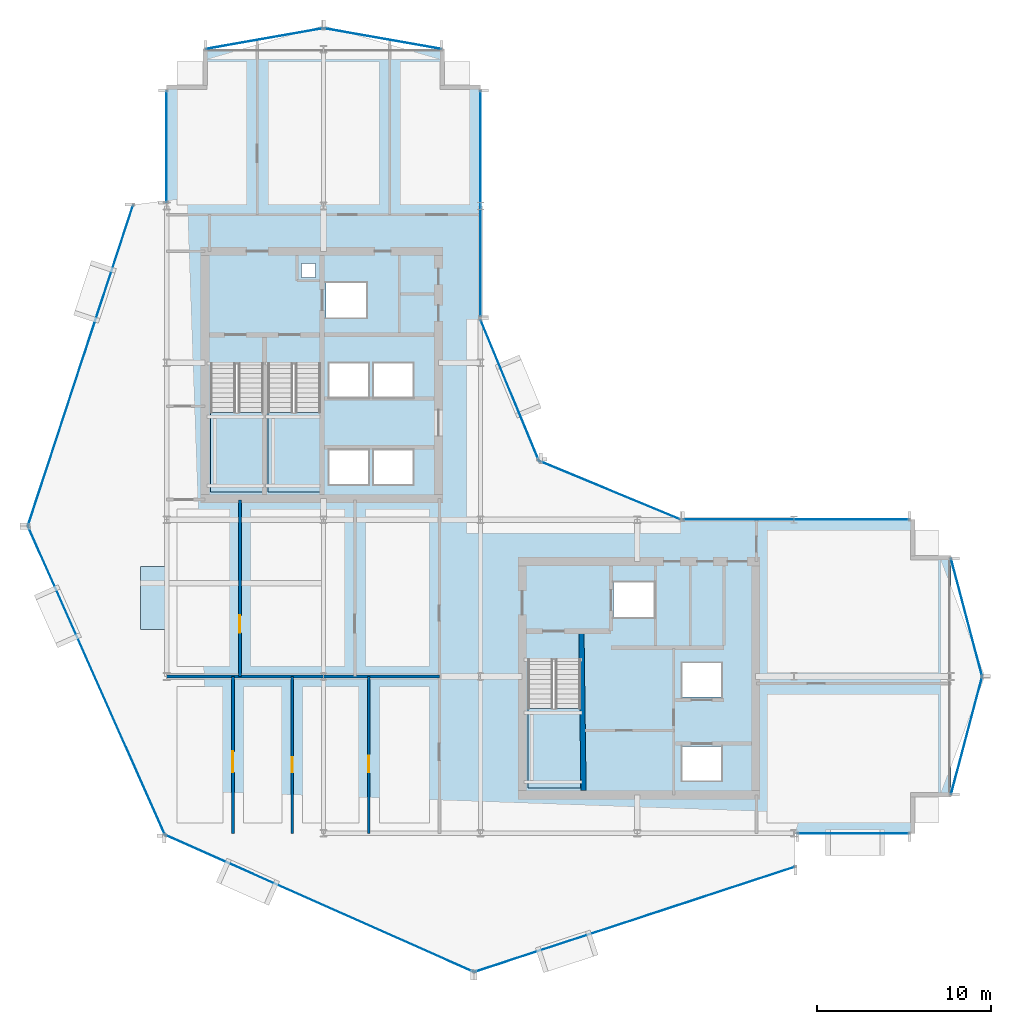
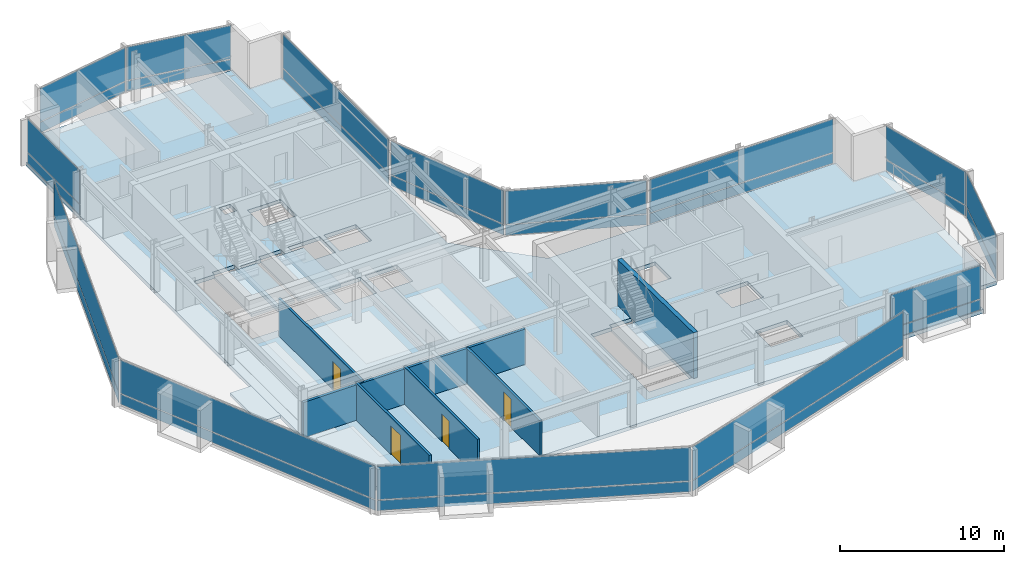
# One storey, part 21 of 28: 28 plates, 6 walls, 5 slabs, 4 doors, 4 openings, 17 elements without a shape of their own.
"""IFC4 building model written with IfcOpenShell, lengths in metres."""

import ifcopenshell
import ifcopenshell.guid

model = None  # the IFC model being written
_history = None  # IfcOwnerHistory: only IFC2X3 demands one
_inside = {}  # id of a spatial element -> (the spatial element, [elements in it])
_under = {}  # id of a project, library or spatial element -> (it, [spatial elements below it])
_declared = {}  # id of a project -> (the project, [libraries it declares])
_typed = {}  # id of a type object -> (the type object, [elements of that type])
_made_of = {}  # id of a material, layer set ... -> (it, [elements and type objects made of it])


def new_model(schema):
    """Start an empty IFC model of exactly this schema.

    Asked for "IFC4X3", IfcOpenShell would pick the latest addendum, in which some entities
    have other attributes; the version numbers below select the first issue.
    IFC2X3 requires an IfcOwnerHistory on every rooted entity: one is made here for all.
    """
    global model, _history
    if schema == "IFC4X3":
        model = ifcopenshell.file(schema_version=(4, 3, 0, 0))
    else:
        model = ifcopenshell.file(schema=schema)
    _inside.clear()
    _under.clear()
    _declared.clear()
    _typed.clear()
    _made_of.clear()
    _history = None
    if model.schema == "IFC2X3":
        org = make("IfcOrganization", Name="unknown")
        user = make(
            "IfcPersonAndOrganization",
            ThePerson=make("IfcPerson", FamilyName="unknown"),
            TheOrganization=org,
        )
        app = make(
            "IfcApplication",
            ApplicationDeveloper=org,
            Version="unknown",
            ApplicationFullName="unknown",
            ApplicationIdentifier="unknown",
        )
        _history = make(
            "IfcOwnerHistory",
            OwningUser=user,
            OwningApplication=app,
            ChangeAction="ADDED",
            CreationDate=0,
        )
    return model


def make(cls, **values):
    """One entity of the class cls with the attributes given. An attribute that is None is left unset."""
    return model.create_entity(
        cls, **{name: value for name, value in values.items() if value is not None}
    )


def rooted(cls, **values):
    """An entity with a GlobalId (a new one), such as an element, a storey or a relation."""
    return make(cls, GlobalId=ifcopenshell.guid.new(), OwnerHistory=_history, **values)


def si_unit(unit_type, name, prefix=None):
    """IfcSIUnit, for example si_unit("LENGTHUNIT", "METRE", prefix="MILLI")."""
    return make("IfcSIUnit", UnitType=unit_type, Prefix=prefix, Name=name)


def assignment(units):
    """IfcUnitAssignment: the units of a project."""
    return None if units is None else make("IfcUnitAssignment", Units=units)


def point(xyz):
    """IfcCartesianPoint."""
    return None if xyz is None else make("IfcCartesianPoint", Coordinates=xyz)


def direction(xyz):
    """IfcDirection."""
    return None if xyz is None else make("IfcDirection", DirectionRatios=xyz)


def frame(location, z_axis=None, x_axis=None):
    """IfcAxis2Placement3D, a coordinate frame: its origin and axes. An axis left out is left unset."""
    return make(
        "IfcAxis2Placement3D",
        Location=point(location),
        Axis=direction(z_axis),
        RefDirection=direction(x_axis),
    )


def frame_2d(location, x_axis=None):
    """IfcAxis2Placement2D, a coordinate frame in the plane: its origin and x axis."""
    return make(
        "IfcAxis2Placement2D", Location=point(location), RefDirection=direction(x_axis)
    )


def origin():
    """The frame at (0, 0, 0) with its axes left unset."""
    return frame((0.0, 0.0, 0.0))


def origin_2d():
    """The frame at (0, 0) in the plane with its x axis left unset."""
    return frame_2d((0.0, 0.0))


def place(relative_to, where):
    """IfcLocalPlacement: puts the frame where relative to a parent placement (None: the world)."""
    return make(
        "IfcLocalPlacement", PlacementRelTo=relative_to, RelativePlacement=where
    )


def context(
    kind, dimensions, precision=None, world=None, true_north=None, identifier=None
):
    """IfcGeometricRepresentationContext, for example the 3D "Model" context."""
    return make(
        "IfcGeometricRepresentationContext",
        ContextIdentifier=identifier,
        ContextType=kind,
        CoordinateSpaceDimension=dimensions,
        Precision=precision,
        WorldCoordinateSystem=world,
        TrueNorth=true_north,
    )


def subcontext(parent, identifier, kind, view, scale=None):
    """IfcGeometricRepresentationSubContext, for example "Body" below "Model"."""
    return make(
        "IfcGeometricRepresentationSubContext",
        ContextIdentifier=identifier,
        ContextType=kind,
        ParentContext=parent,
        TargetScale=scale,
        TargetView=view,
    )


def project(units=None, contexts=None):
    """IfcProject with its units and contexts."""
    return rooted(
        "IfcProject",
        Name="project",
        RepresentationContexts=contexts,
        UnitsInContext=assignment(units),
    )


def spatial(cls, under=None, at=None, **own):
    """A site, building, storey or space (cls), placed at a placement, below another one or the project."""
    s = rooted(cls, ObjectPlacement=at, **own)
    if under is not None:
        _under.setdefault(under.id(), (under, []))[1].append(s)
    return s


def polyline(points):
    """IfcPolyline through the points."""
    return make("IfcPolyline", Points=[point(p) for p in points])


def profile(cls, at=None, kind="AREA", **sizes):
    """A parametric profile (cls). Its sizes go by their IFC names, for example OverallWidth=200.0."""
    return make(cls, ProfileType=kind, Position=at, **sizes)


def rectangle(**sizes):
    """IfcRectangleProfileDef."""
    return profile("IfcRectangleProfileDef", **sizes)


def outline(outer, holes=None, kind="AREA"):
    """IfcArbitraryClosedProfileDef: a profile drawn as a closed curve; with holes, ...WithVoids."""
    if holes is None:
        return make("IfcArbitraryClosedProfileDef", ProfileType=kind, OuterCurve=outer)
    return make(
        "IfcArbitraryProfileDefWithVoids",
        ProfileType=kind,
        OuterCurve=outer,
        InnerCurves=holes,
    )


def extrude(swept, where, along, depth):
    """IfcExtrudedAreaSolid: the profile swept, set in the frame where, extruded along a direction by depth."""
    return make(
        "IfcExtrudedAreaSolid",
        SweptArea=swept,
        Position=where,
        ExtrudedDirection=direction(along),
        Depth=depth,
    )


def shape(context_of_items, identifier, shape_type, items):
    """IfcShapeRepresentation: the items that make up one representation, for example the "Body"."""
    return make(
        "IfcShapeRepresentation",
        ContextOfItems=context_of_items,
        RepresentationIdentifier=identifier,
        RepresentationType=shape_type,
        Items=items,
    )


def material(Name=None, Category=None):
    """IfcMaterial."""
    return make("IfcMaterial", Name=Name, Category=Category)


def layer(
    of_material, thickness, ventilated=None, Name=None, Category=None, Priority=None
):
    """IfcMaterialLayer: one layer of a wall or slab, of a material (None: an air gap)."""
    return make(
        "IfcMaterialLayer",
        Material=of_material,
        LayerThickness=thickness,
        IsVentilated=ventilated,
        Name=Name,
        Category=Category,
        Priority=Priority,
    )


def layer_set(layers, Name=None):
    """IfcMaterialLayerSet."""
    return make("IfcMaterialLayerSet", MaterialLayers=layers, LayerSetName=Name)


def made_of(thing, what):
    """Note that an element or type object is made of a material, layer set ...; save() writes the relation."""
    if what is not None:
        _made_of.setdefault(what.id(), (what, []))[1].append(thing)
    return thing


def type_object(cls, material=None, **own):
    """A type object (cls), such as IfcWallType, which elements share."""
    return made_of(rooted(cls, **own), material)


def element(
    cls,
    number,
    at=None,
    inside=None,
    cuts=None,
    type_object=None,
    material=None,
    context=None,
    identifier="Body",
    shape_type=None,
    held_by="IfcProductDefinitionShape",
    body=None,
    shapes=None,
    **own,
):
    """One element of the class cls, such as IfcWall. Its Tag is "e" and its number.

    at: its placement. inside: the storey or other place that contains it. cuts: it is an
    opening in that element (IfcRelVoidsElement). A single representation is given by context,
    identifier, shape_type and body (its items); several are given by shapes. held_by: the class
    of the entity that holds the representations. save() writes the other relations.
    """
    e = rooted(cls, Tag="e%d" % number, ObjectPlacement=at, **own)
    if body is not None:
        shapes = [shape(context, identifier, shape_type, body)]
    if shapes is not None:
        e.Representation = make(held_by, Representations=shapes)
    if inside is not None:
        _inside.setdefault(inside.id(), (inside, []))[1].append(e)
    if cuts is not None:
        rooted(
            "IfcRelVoidsElement", RelatingBuildingElement=cuts, RelatedOpeningElement=e
        )
    if type_object is not None:
        _typed.setdefault(type_object.id(), (type_object, []))[1].append(e)
    return made_of(e, material)


def fill(opening, filler):
    """IfcRelFillsElement: the door or window that sits in an opening."""
    return rooted(
        "IfcRelFillsElement",
        RelatingOpeningElement=opening,
        RelatedBuildingElement=filler,
    )


def aggregate(whole, parts):
    """IfcRelAggregates: a whole, such as a stair, and the parts it consists of."""
    return rooted("IfcRelAggregates", RelatingObject=whole, RelatedObjects=parts)


def save(model, path):
    """Write the relations noted so far, then the file.

    IfcRelAggregates (storeys below a building ...), IfcRelContainedInSpatialStructure (elements
    in a storey), IfcRelDefinesByType, IfcRelAssociatesMaterial and IfcRelDeclares: one each for
    every whole, place, type object, material and project.
    """
    for whole, parts in _under.values():
        aggregate(whole, parts)
    for where, things in _inside.values():
        rooted(
            "IfcRelContainedInSpatialStructure",
            RelatedElements=things,
            RelatingStructure=where,
        )
    for kind, things in _typed.values():
        rooted("IfcRelDefinesByType", RelatedObjects=things, RelatingType=kind)
    for what, things in _made_of.values():
        rooted("IfcRelAssociatesMaterial", RelatedObjects=things, RelatingMaterial=what)
    for by, libraries in _declared.values():
        rooted("IfcRelDeclares", RelatingContext=by, RelatedDefinitions=libraries)
    model.write(path)


model = new_model("IFC4")

# Units and contexts
model_context = context("Model", 3, precision=1e-05, world=origin(), true_north=direction((0.0, 1.0)))
body_context = subcontext(model_context, "Body", "Model", "MODEL_VIEW")
ifc_project = project(units=[si_unit("LENGTHUNIT", "METRE"), si_unit("AREAUNIT", "SQUARE_METRE"), si_unit("VOLUMEUNIT", "CUBIC_METRE"), si_unit("PLANEANGLEUNIT", "RADIAN"), si_unit("MASSUNIT", "GRAM", prefix="KILO")], contexts=[model_context])

# Site, building, storey
site_placement = place(None, origin())
site = spatial("IfcSite", under=ifc_project, at=site_placement, CompositionType="ELEMENT")
building_placement = place(site_placement, origin())
building = spatial("IfcBuilding", under=site, at=building_placement, Name="Solvaryn Broadcast Tower", CompositionType="ELEMENT")
storey_placement = place(building_placement, frame((0.0, 0.0, 154.39990234375)))
storey = spatial("IfcBuildingStorey", under=building, at=storey_placement, Name="L38", CompositionType="ELEMENT", Elevation=154.39990234375)

# Curtain wall, plates
ifc_material_1 = material(Name="Aluminium and Terracotta Unitised Curtain Wall", Category="masonry")
ifc_layer_1 = layer(ifc_material_1, 0.199951171875)
ifc_layer_set_1 = layer_set([ifc_layer_1], Name="CW-SYS2-LOWMID")
curtain_wall_type = type_object("IfcCurtainWallType", Name="CW-SYS2-LOWMID", PredefinedType="NOTDEFINED", material=ifc_layer_set_1)
curtain_wall_1_placement = place(storey_placement, origin())
curtain_wall_1 = element("IfcCurtainWall", 1, at=curtain_wall_1_placement, inside=storey, type_object=curtain_wall_type, Name="L38 Curtain Wall DR1", PredefinedType="NOTDEFINED")
ifc_material_2 = material(Name="Kiln-Fired Architectural Terracotta Spandrel", Category="masonry")
ifc_layer_2 = layer(ifc_material_2, 0.048095703125)
ifc_layer_set_2 = layer_set([ifc_layer_2], Name="CW-PNL-TERRACOTTA")
plate_type = type_object("IfcPlateType", Name="CW-PNL-TERRACOTTA", PredefinedType="CURTAIN_PANEL", material=ifc_layer_set_2)
plate_1_placement = place(storey_placement, frame((4.056396484375, 35.8515625, 0.06005859375), z_axis=(0.0, 0.0, 1.0), x_axis=(-0.311646057547, -0.950198260794, 0.0)))
plate_1 = element("IfcPlate", 2, at=plate_1_placement, type_object=plate_type, Name="CWS2 panel 1.1", PredefinedType="CURTAIN_PANEL", context=body_context, shape_type="SweptSolid", body=[
    extrude(rectangle(XDim=19.277099609375, YDim=0.028076171875, at=origin_2d()), origin(), (0.0, 0.0, 1.0), 0.760009765625),
])
plate_2_placement = place(storey_placement, frame((4.056396484375, 35.8515625, 0.880126953125), z_axis=(0.0, 0.0, 1.0), x_axis=(-0.311646057547, -0.950198260794, 0.0)))
plate_2 = element("IfcPlate", 3, at=plate_2_placement, type_object=plate_type, Name="CWS2 panel 1.2", PredefinedType="CURTAIN_PANEL", context=body_context, shape_type="SweptSolid", body=[
    extrude(rectangle(XDim=19.277099609375, YDim=0.028076171875, at=origin_2d()), origin(), (0.0, 0.0, 1.0), 2.47998046875),
])
aggregate(curtain_wall_1, [plate_1, plate_2])

curtain_wall_2_placement = place(storey_placement, origin())
curtain_wall_2 = element("IfcCurtainWall", 4, at=curtain_wall_2_placement, inside=storey, type_object=curtain_wall_type, Name="L38 Curtain Wall DR2", PredefinedType="NOTDEFINED")
plate_3_placement = place(storey_placement, frame((4.970947265625, 17.77197265625, 0.06005859375), z_axis=(0.0, 0.0, 1.0), x_axis=(0.405918429309, -0.913909311008, 0.0)))
plate_3 = element("IfcPlate", 5, at=plate_3_placement, type_object=plate_type, Name="CWS2 panel 1.1", PredefinedType="CURTAIN_PANEL", context=body_context, shape_type="SweptSolid", body=[
    extrude(rectangle(XDim=19.278076171875, YDim=0.028076171875, at=origin_2d()), origin(), (0.0, 0.0, 1.0), 0.760009765625),
])
plate_4_placement = place(storey_placement, frame((4.970947265625, 17.77197265625, 0.880126953125), z_axis=(0.0, 0.0, 1.0), x_axis=(0.405918429309, -0.913909311008, 0.0)))
plate_4 = element("IfcPlate", 6, at=plate_4_placement, type_object=plate_type, Name="CWS2 panel 1.2", PredefinedType="CURTAIN_PANEL", context=body_context, shape_type="SweptSolid", body=[
    extrude(rectangle(XDim=19.278076171875, YDim=0.028076171875, at=origin_2d()), origin(), (0.0, 0.0, 1.0), 2.47998046875),
])
aggregate(curtain_wall_2, [plate_3, plate_4])

curtain_wall_3_placement = place(storey_placement, origin())
curtain_wall_3 = element("IfcCurtainWall", 7, at=curtain_wall_3_placement, inside=storey, type_object=curtain_wall_type, Name="L38 Curtain Wall DR3", PredefinedType="NOTDEFINED")
plate_5_placement = place(storey_placement, frame((17.77197265625, 4.970947265625, 0.06005859375), z_axis=(0.0, 0.0, 1.0), x_axis=(0.913909311008, -0.405918429309, 0.0)))
plate_5 = element("IfcPlate", 8, at=plate_5_placement, type_object=plate_type, Name="CWS2 panel 1.1", PredefinedType="CURTAIN_PANEL", context=body_context, shape_type="SweptSolid", body=[
    extrude(rectangle(XDim=19.278076171875, YDim=0.028076171875, at=origin_2d()), origin(), (0.0, 0.0, 1.0), 0.760009765625),
])
plate_6_placement = place(storey_placement, frame((17.77197265625, 4.970947265625, 0.880126953125), z_axis=(0.0, 0.0, 1.0), x_axis=(0.913909311008, -0.405918429309, 0.0)))
plate_6 = element("IfcPlate", 9, at=plate_6_placement, type_object=plate_type, Name="CWS2 panel 1.2", PredefinedType="CURTAIN_PANEL", context=body_context, shape_type="SweptSolid", body=[
    extrude(rectangle(XDim=19.278076171875, YDim=0.028076171875, at=origin_2d()), origin(), (0.0, 0.0, 1.0), 2.47998046875),
])
aggregate(curtain_wall_3, [plate_5, plate_6])

curtain_wall_4_placement = place(storey_placement, origin())
curtain_wall_4 = element("IfcCurtainWall", 10, at=curtain_wall_4_placement, inside=storey, type_object=curtain_wall_type, Name="L38 Curtain Wall DR4", PredefinedType="NOTDEFINED")
plate_7_placement = place(storey_placement, frame((35.8515625, 4.056396484375, 0.06005859375), z_axis=(0.0, 0.0, 1.0), x_axis=(0.950198260794, 0.311646057547, 0.0)))
plate_7 = element("IfcPlate", 11, at=plate_7_placement, type_object=plate_type, Name="CWS2 panel 1.1", PredefinedType="CURTAIN_PANEL", context=body_context, shape_type="SweptSolid", body=[
    extrude(rectangle(XDim=19.277099609375, YDim=0.028076171875, at=origin_2d()), origin(), (0.0, 0.0, 1.0), 0.760009765625),
])
plate_8_placement = place(storey_placement, frame((35.8515625, 4.056396484375, 0.880126953125), z_axis=(0.0, 0.0, 1.0), x_axis=(0.950198260794, 0.311646057547, 0.0)))
plate_8 = element("IfcPlate", 12, at=plate_8_placement, type_object=plate_type, Name="CWS2 panel 1.2", PredefinedType="CURTAIN_PANEL", context=body_context, shape_type="SweptSolid", body=[
    extrude(rectangle(XDim=19.277099609375, YDim=0.028076171875, at=origin_2d()), origin(), (0.0, 0.0, 1.0), 2.47998046875),
])
aggregate(curtain_wall_4, [plate_7, plate_8])

curtain_wall_5_placement = place(storey_placement, origin())
curtain_wall_5 = element("IfcCurtainWall", 13, at=curtain_wall_5_placement, inside=storey, type_object=curtain_wall_type, Name="L38 Curtain Wall W2", PredefinedType="NOTDEFINED")
plate_9_placement = place(storey_placement, frame((9.0, 48.408447265625, 0.06005859375), z_axis=(0.0, 0.0, 1.0), x_axis=(0.0, 1.0, 0.0)))
plate_9 = element("IfcPlate", 14, at=plate_9_placement, type_object=plate_type, Name="CWS2 panel 1.1", PredefinedType="CURTAIN_PANEL", context=body_context, shape_type="SweptSolid", body=[
    extrude(rectangle(XDim=6.363037109375, YDim=0.028076171875, at=origin_2d()), origin(), (0.0, 0.0, 1.0), 0.760009765625),
])
plate_10_placement = place(storey_placement, frame((9.0, 48.408447265625, 0.880126953125), z_axis=(0.0, 0.0, 1.0), x_axis=(0.0, 1.0, 0.0)))
plate_10 = element("IfcPlate", 15, at=plate_10_placement, type_object=plate_type, Name="CWS2 panel 1.2", PredefinedType="CURTAIN_PANEL", context=body_context, shape_type="SweptSolid", body=[
    extrude(rectangle(XDim=6.363037109375, YDim=0.028076171875, at=origin_2d()), origin(), (0.0, 0.0, 1.0), 2.47998046875),
])
aggregate(curtain_wall_5, [plate_9, plate_10])

curtain_wall_6_placement = place(storey_placement, origin())
curtain_wall_6 = element("IfcCurtainWall", 16, at=curtain_wall_6_placement, inside=storey, type_object=curtain_wall_type, Name="L38 Curtain Wall IV", PredefinedType="NOTDEFINED")
plate_11_placement = place(storey_placement, frame((27.0, 45.125, 0.06005859375), z_axis=(0.0, 0.0, 1.0), x_axis=(0.0, -1.0, 0.0)))
plate_11 = element("IfcPlate", 17, at=plate_11_placement, type_object=plate_type, Name="CWS2 panel 1.1", PredefinedType="CURTAIN_PANEL", context=body_context, shape_type="SweptSolid", body=[
    extrude(rectangle(XDim=12.929931640625, YDim=0.028076171875, at=origin_2d()), origin(), (0.0, 0.0, 1.0), 0.760009765625),
])
plate_12_placement = place(storey_placement, frame((27.0, 45.125, 0.880126953125), z_axis=(0.0, 0.0, 1.0), x_axis=(0.0, -1.0, 0.0)))
plate_12 = element("IfcPlate", 18, at=plate_12_placement, type_object=plate_type, Name="CWS2 panel 1.2", PredefinedType="CURTAIN_PANEL", context=body_context, shape_type="SweptSolid", body=[
    extrude(rectangle(XDim=12.929931640625, YDim=0.028076171875, at=origin_2d()), origin(), (0.0, 0.0, 1.0), 2.47998046875),
])
aggregate(curtain_wall_6, [plate_11, plate_12])

curtain_wall_7_placement = place(storey_placement, origin())
curtain_wall_7 = element("IfcCurtainWall", 19, at=curtain_wall_7_placement, inside=storey, type_object=curtain_wall_type, Name="L38 Curtain Wall CN1", PredefinedType="NOTDEFINED")
plate_13_placement = place(storey_placement, frame((34.43408203125, 28.68408203125, 0.06005859375), z_axis=(0.0, 0.0, 1.0), x_axis=(-0.923894983957, 0.382646127145, 0.0)))
plate_13 = element("IfcPlate", 20, at=plate_13_placement, type_object=plate_type, Name="CWS2 panel 1.1", PredefinedType="CURTAIN_PANEL", context=body_context, shape_type="SweptSolid", body=[
    extrude(rectangle(XDim=8.681884765625, YDim=0.028076171875, at=origin_2d()), origin(), (0.0, 0.0, 1.0), 0.760009765625),
])
plate_14_placement = place(storey_placement, frame((34.43408203125, 28.68408203125, 0.880126953125), z_axis=(0.0, 0.0, 1.0), x_axis=(-0.923894983957, 0.382646127145, 0.0)))
plate_14 = element("IfcPlate", 21, at=plate_14_placement, type_object=plate_type, Name="CWS2 panel 1.2", PredefinedType="CURTAIN_PANEL", context=body_context, shape_type="SweptSolid", body=[
    extrude(rectangle(XDim=8.681884765625, YDim=0.028076171875, at=origin_2d()), origin(), (0.0, 0.0, 1.0), 2.47998046875),
])
aggregate(curtain_wall_7, [plate_13, plate_14])

curtain_wall_8_placement = place(storey_placement, origin())
curtain_wall_8 = element("IfcCurtainWall", 22, at=curtain_wall_8_placement, inside=storey, type_object=curtain_wall_type, Name="L38 Curtain Wall CN2", PredefinedType="NOTDEFINED")
plate_15_placement = place(storey_placement, frame((28.68408203125, 34.43408203125, 0.06005859375), z_axis=(0.0, 0.0, 1.0), x_axis=(-0.382646127145, 0.923894983957, 0.0)))
plate_15 = element("IfcPlate", 23, at=plate_15_placement, type_object=plate_type, Name="CWS2 panel 1.1", PredefinedType="CURTAIN_PANEL", context=body_context, shape_type="SweptSolid", body=[
    extrude(rectangle(XDim=8.681884765625, YDim=0.028076171875, at=origin_2d()), origin(), (0.0, 0.0, 1.0), 0.760009765625),
])
plate_16_placement = place(storey_placement, frame((28.68408203125, 34.43408203125, 0.880126953125), z_axis=(0.0, 0.0, 1.0), x_axis=(-0.382646127145, 0.923894983957, 0.0)))
plate_16 = element("IfcPlate", 24, at=plate_16_placement, type_object=plate_type, Name="CWS2 panel 1.2", PredefinedType="CURTAIN_PANEL", context=body_context, shape_type="SweptSolid", body=[
    extrude(rectangle(XDim=8.681884765625, YDim=0.028076171875, at=origin_2d()), origin(), (0.0, 0.0, 1.0), 2.47998046875),
])
aggregate(curtain_wall_8, [plate_15, plate_16])

curtain_wall_9_placement = place(storey_placement, origin())
curtain_wall_9 = element("IfcCurtainWall", 25, at=curtain_wall_9_placement, inside=storey, type_object=curtain_wall_type, Name="L38 Curtain Wall S2", PredefinedType="NOTDEFINED")
plate_17_placement = place(storey_placement, frame((48.408447265625, 9.0, 0.06005859375), z_axis=(0.0, 0.0, 1.0), x_axis=(1.0, 0.0, 0.0)))
plate_17 = element("IfcPlate", 26, at=plate_17_placement, type_object=plate_type, Name="CWS2 panel 1.1", PredefinedType="CURTAIN_PANEL", context=body_context, shape_type="SweptSolid", body=[
    extrude(rectangle(XDim=6.363037109375, YDim=0.028076171875, at=origin_2d()), origin(), (0.0, 0.0, 1.0), 0.760009765625),
])
plate_18_placement = place(storey_placement, frame((48.408447265625, 9.0, 0.880126953125), z_axis=(0.0, 0.0, 1.0), x_axis=(1.0, 0.0, 0.0)))
plate_18 = element("IfcPlate", 27, at=plate_18_placement, type_object=plate_type, Name="CWS2 panel 1.2", PredefinedType="CURTAIN_PANEL", context=body_context, shape_type="SweptSolid", body=[
    extrude(rectangle(XDim=6.363037109375, YDim=0.028076171875, at=origin_2d()), origin(), (0.0, 0.0, 1.0), 2.47998046875),
])
aggregate(curtain_wall_9, [plate_17, plate_18])

curtain_wall_10_placement = place(storey_placement, origin())
curtain_wall_10 = element("IfcCurtainWall", 28, at=curtain_wall_10_placement, inside=storey, type_object=curtain_wall_type, Name="L38 Curtain Wall NT1", PredefinedType="NOTDEFINED")
plate_19_placement = place(storey_placement, frame((21.39990234375, 54.60009765625, 0.06005859375), z_axis=(0.0, 0.0, 1.0), x_axis=(-0.984783558819, 0.173785333901, 0.0)))
plate_19 = element("IfcPlate", 29, at=plate_19_placement, type_object=plate_type, Name="CWS2 panel 1.1", PredefinedType="CURTAIN_PANEL", context=body_context, shape_type="SweptSolid", body=[
    extrude(rectangle(XDim=6.78515625, YDim=0.028076171875, at=origin_2d()), origin(), (0.0, 0.0, 1.0), 0.760009765625),
])
plate_20_placement = place(storey_placement, frame((21.39990234375, 54.60009765625, 0.880126953125), z_axis=(0.0, 0.0, 1.0), x_axis=(-0.984783558819, 0.173785333901, 0.0)))
plate_20 = element("IfcPlate", 30, at=plate_20_placement, type_object=plate_type, Name="CWS2 panel 1.2", PredefinedType="CURTAIN_PANEL", context=body_context, shape_type="SweptSolid", body=[
    extrude(rectangle(XDim=6.78515625, YDim=0.028076171875, at=origin_2d()), origin(), (0.0, 0.0, 1.0), 2.47998046875),
])
aggregate(curtain_wall_10, [plate_19, plate_20])

curtain_wall_11_placement = place(storey_placement, origin())
curtain_wall_11 = element("IfcCurtainWall", 31, at=curtain_wall_11_placement, inside=storey, type_object=curtain_wall_type, Name="L38 Curtain Wall NT2", PredefinedType="NOTDEFINED")
plate_21_placement = place(storey_placement, frame((14.60009765625, 54.60009765625, 0.06005859375), z_axis=(0.0, 0.0, 1.0), x_axis=(-0.984783558819, -0.173785333901, 0.0)))
plate_21 = element("IfcPlate", 32, at=plate_21_placement, type_object=plate_type, Name="CWS2 panel 1.1", PredefinedType="CURTAIN_PANEL", context=body_context, shape_type="SweptSolid", body=[
    extrude(rectangle(XDim=6.78515625, YDim=0.028076171875, at=origin_2d()), origin(), (0.0, 0.0, 1.0), 0.760009765625),
])
plate_22_placement = place(storey_placement, frame((14.60009765625, 54.60009765625, 0.880126953125), z_axis=(0.0, 0.0, 1.0), x_axis=(-0.984783558819, -0.173785333901, 0.0)))
plate_22 = element("IfcPlate", 33, at=plate_22_placement, type_object=plate_type, Name="CWS2 panel 1.2", PredefinedType="CURTAIN_PANEL", context=body_context, shape_type="SweptSolid", body=[
    extrude(rectangle(XDim=6.78515625, YDim=0.028076171875, at=origin_2d()), origin(), (0.0, 0.0, 1.0), 2.47998046875),
])
aggregate(curtain_wall_11, [plate_21, plate_22])

curtain_wall_12_placement = place(storey_placement, origin())
curtain_wall_12 = element("IfcCurtainWall", 34, at=curtain_wall_12_placement, inside=storey, type_object=curtain_wall_type, Name="L38 Curtain Wall ET1", PredefinedType="NOTDEFINED")
plate_23_placement = place(storey_placement, frame((54.89990234375, 21.39990234375, 0.06005859375), z_axis=(0.0, 0.0, 1.0), x_axis=(0.25589256031, -0.966705227863, 0.0)))
plate_23 = element("IfcPlate", 35, at=plate_23_placement, type_object=plate_type, Name="CWS2 panel 1.1", PredefinedType="CURTAIN_PANEL", context=body_context, shape_type="SweptSolid", body=[
    extrude(rectangle(XDim=6.914306640625, YDim=0.028076171875, at=origin_2d()), origin(), (0.0, 0.0, 1.0), 0.760009765625),
])
plate_24_placement = place(storey_placement, frame((54.89990234375, 21.39990234375, 0.880126953125), z_axis=(0.0, 0.0, 1.0), x_axis=(0.25589256031, -0.966705227863, 0.0)))
plate_24 = element("IfcPlate", 36, at=plate_24_placement, type_object=plate_type, Name="CWS2 panel 1.2", PredefinedType="CURTAIN_PANEL", context=body_context, shape_type="SweptSolid", body=[
    extrude(rectangle(XDim=6.914306640625, YDim=0.028076171875, at=origin_2d()), origin(), (0.0, 0.0, 1.0), 2.47998046875),
])
aggregate(curtain_wall_12, [plate_23, plate_24])

curtain_wall_13_placement = place(storey_placement, origin())
curtain_wall_13 = element("IfcCurtainWall", 37, at=curtain_wall_13_placement, inside=storey, type_object=curtain_wall_type, Name="L38 Curtain Wall ET2", PredefinedType="NOTDEFINED")
plate_25_placement = place(storey_placement, frame((54.89990234375, 14.60009765625, 0.06005859375), z_axis=(0.0, 0.0, 1.0), x_axis=(-0.25589256031, -0.966705227863, 0.0)))
plate_25 = element("IfcPlate", 38, at=plate_25_placement, type_object=plate_type, Name="CWS2 panel 1.1", PredefinedType="CURTAIN_PANEL", context=body_context, shape_type="SweptSolid", body=[
    extrude(rectangle(XDim=6.914306640625, YDim=0.028076171875, at=origin_2d()), origin(), (0.0, 0.0, 1.0), 0.760009765625),
])
plate_26_placement = place(storey_placement, frame((54.89990234375, 14.60009765625, 0.880126953125), z_axis=(0.0, 0.0, 1.0), x_axis=(-0.25589256031, -0.966705227863, 0.0)))
plate_26 = element("IfcPlate", 39, at=plate_26_placement, type_object=plate_type, Name="CWS2 panel 1.2", PredefinedType="CURTAIN_PANEL", context=body_context, shape_type="SweptSolid", body=[
    extrude(rectangle(XDim=6.914306640625, YDim=0.028076171875, at=origin_2d()), origin(), (0.0, 0.0, 1.0), 2.47998046875),
])
aggregate(curtain_wall_13, [plate_25, plate_26])

curtain_wall_14_placement = place(storey_placement, origin())
curtain_wall_14 = element("IfcCurtainWall", 40, at=curtain_wall_14_placement, inside=storey, type_object=curtain_wall_type, Name="L38 Curtain Wall IH", PredefinedType="NOTDEFINED")
plate_27_placement = place(storey_placement, frame((45.125, 27.0, 0.06005859375), z_axis=(0.0, 0.0, 1.0), x_axis=(1.0, 0.0, 0.0)))
plate_27 = element("IfcPlate", 41, at=plate_27_placement, type_object=plate_type, Name="CWS2 panel 1.1", PredefinedType="CURTAIN_PANEL", context=body_context, shape_type="SweptSolid", body=[
    extrude(rectangle(XDim=12.929931640625, YDim=0.028076171875, at=origin_2d()), origin(), (0.0, 0.0, 1.0), 0.760009765625),
])
plate_28_placement = place(storey_placement, frame((45.125, 27.0, 0.880126953125), z_axis=(0.0, 0.0, 1.0), x_axis=(1.0, 0.0, 0.0)))
plate_28 = element("IfcPlate", 42, at=plate_28_placement, type_object=plate_type, Name="CWS2 panel 1.2", PredefinedType="CURTAIN_PANEL", context=body_context, shape_type="SweptSolid", body=[
    extrude(rectangle(XDim=12.929931640625, YDim=0.028076171875, at=origin_2d()), origin(), (0.0, 0.0, 1.0), 2.47998046875),
])
aggregate(curtain_wall_14, [plate_27, plate_28])

# Slab
ifc_material_3 = material(Name="Concrete f'c 60 MPa", Category="concrete")
ifc_layer_3 = layer(ifc_material_3, 0.2099609375)
ifc_layer_set_3 = layer_set([ifc_layer_3], Name="SL-BAYBOX-210")
slab_type_1 = type_object("IfcSlabType", Name="SL-BAYBOX-210", PredefinedType="FLOOR", material=ifc_layer_set_3)
slab_1_placement = place(storey_placement, frame((0.0, 0.0, -0.2099609375)))
element("IfcSlab", 43, at=slab_1_placement, inside=storey, type_object=slab_type_1, Name="L38 Projecting Bay-Box Slab 1", PredefinedType="FLOOR", context=body_context, shape_type="SweptSolid", body=[
    extrude(outline(polyline([(7.5, 20.699951171875), (9.0, 20.699951171875), (9.0, 24.300048828125), (7.5, 24.300048828125), (7.5, 20.699951171875)])), origin(), (0.0, 0.0, 1.0), 0.2099609375),
])

# Stair, slab
ifc_material_4 = material(Name="Concrete f'c 60 MPa", Category="concrete")
stair_type = type_object("IfcStairType", Name="ST-CORE", PredefinedType="HALF_TURN_STAIR", material=ifc_material_4)
stair_1_placement = place(storey_placement, origin())
stair_1 = element("IfcStair", 44, at=stair_1_placement, inside=storey, type_object=stair_type, Name="L38 ST1", PredefinedType="HALF_TURN_STAIR")
ifc_material_5 = material(Name="Concrete f'c 60 MPa", Category="concrete")
ifc_layer_4 = layer(ifc_material_5, 0.199951171875)
ifc_layer_set_4 = layer_set([ifc_layer_4], Name="SL-LANDING-200")
slab_type_2 = type_object("IfcSlabType", Name="SL-LANDING-200", PredefinedType="LANDING", material=ifc_layer_set_4)
slab_2_placement = place(storey_placement, frame((0.0, 0.0, 1.650146484375)))
slab_2 = element("IfcSlab", 45, at=slab_2_placement, type_object=slab_type_2, Name="ST1 landing 1", PredefinedType="LANDING", context=body_context, shape_type="SweptSolid", body=[
    extrude(outline(polyline([(11.52001953125, 33.159912109375), (11.52001953125, 28.60009765625), (14.550048828125, 28.60009765625), (14.550048828125, 33.159912109375), (11.52001953125, 33.159912109375)])), origin(), (0.0, 0.0, 1.0), 0.199951171875),
])
aggregate(stair_1, [slab_2])

stair_2_placement = place(storey_placement, origin())
stair_2 = element("IfcStair", 46, at=stair_2_placement, inside=storey, type_object=stair_type, Name="L38 ST2", PredefinedType="HALF_TURN_STAIR")
slab_3_placement = place(storey_placement, frame((0.0, 0.0, 1.650146484375)))
slab_3 = element("IfcSlab", 47, at=slab_3_placement, type_object=slab_type_2, Name="ST2 landing 1", PredefinedType="LANDING", context=body_context, shape_type="SweptSolid", body=[
    extrude(outline(polyline([(14.800048828125, 33.159912109375), (14.800048828125, 28.60009765625), (17.830078125, 28.60009765625), (17.830078125, 33.159912109375), (14.800048828125, 33.159912109375)])), origin(), (0.0, 0.0, 1.0), 0.199951171875),
])
aggregate(stair_2, [slab_3])

stair_3_placement = place(storey_placement, origin())
stair_3 = element("IfcStair", 48, at=stair_3_placement, inside=storey, type_object=stair_type, Name="L38 ST3", PredefinedType="HALF_TURN_STAIR")
slab_4_placement = place(storey_placement, frame((0.0, 0.0, 1.650146484375)))
slab_4 = element("IfcSlab", 49, at=slab_4_placement, type_object=slab_type_2, Name="ST3 landing 1", PredefinedType="LANDING", context=body_context, shape_type="SweptSolid", body=[
    extrude(outline(polyline([(29.719970703125, 16.159912109375), (29.719970703125, 11.60009765625), (32.75, 11.60009765625), (32.75, 16.159912109375), (29.719970703125, 16.159912109375)])), origin(), (0.0, 0.0, 1.0), 0.199951171875),
])
aggregate(stair_3, [slab_4])

# Slab
ifc_material_6 = material(Name="Concrete f'c 60 MPa", Category="concrete")
ifc_layer_5 = layer(ifc_material_6, 0.280029296875)
ifc_layer_set_5 = layer_set([ifc_layer_5], Name="SL-TWR-280")
slab_type_3 = type_object("IfcSlabType", Name="SL-TWR-280", PredefinedType="FLOOR", material=ifc_layer_set_5)
slab_5_placement = place(storey_placement, frame((0.0, 0.0, -0.27978515625)))
element("IfcSlab", 50, at=slab_5_placement, inside=storey, type_object=slab_type_3, Name="L38 Structural Floor Slab", PredefinedType="FLOOR", context=body_context, shape_type="SweptSolid", body=[
    extrude(outline(polyline([(11.199951171875, 9.0), (51.800048828125, 9.0), (51.800048828125, 11.199951171875), (54.0, 11.199951171875), (54.0, 24.800048828125), (51.800048828125, 24.800048828125), (51.800048828125, 27.0), (31.5, 27.0), (27.0, 31.5), (27.0, 51.800048828125), (24.800048828125, 51.800048828125), (24.800048828125, 54.0), (11.199951171875, 54.0), (11.199951171875, 51.800048828125), (9.0, 51.800048828125), (9.0, 11.199951171875), (11.199951171875, 11.199951171875), (11.199951171875, 9.0)]), holes=[polyline([(11.52001953125, 28.60009765625), (14.550048828125, 28.60009765625), (14.550048828125, 35.9599609375), (12.97998046875, 35.9599609375), (12.97998046875, 35.679931640625), (11.52001953125, 35.679931640625), (11.52001953125, 28.60009765625)]), polyline([(14.800048828125, 28.60009765625), (17.830078125, 28.60009765625), (17.830078125, 35.9599609375), (16.260009765625, 35.9599609375), (16.260009765625, 35.679931640625), (14.800048828125, 35.679931640625), (14.800048828125, 28.60009765625)]), polyline([(29.719970703125, 11.60009765625), (32.75, 11.60009765625), (32.75, 18.9599609375), (31.179931640625, 18.9599609375), (31.179931640625, 18.679931640625), (29.719970703125, 18.679931640625), (29.719970703125, 11.60009765625)]), polyline([(18.14990234375, 38.60009765625), (20.449951171875, 38.60009765625), (20.449951171875, 40.60009765625), (18.14990234375, 40.60009765625), (18.14990234375, 38.60009765625)]), polyline([(18.324951171875, 29.02490234375), (20.574951171875, 29.02490234375), (20.574951171875, 30.97509765625), (18.324951171875, 30.97509765625), (18.324951171875, 29.02490234375)]), polyline([(20.875, 29.02490234375), (23.125, 29.02490234375), (23.125, 30.97509765625), (20.875, 30.97509765625), (20.875, 29.02490234375)]), polyline([(18.324951171875, 34.02490234375), (20.574951171875, 34.02490234375), (20.574951171875, 35.97509765625), (18.324951171875, 35.97509765625), (18.324951171875, 34.02490234375)]), polyline([(20.875, 34.02490234375), (23.125, 34.02490234375), (23.125, 35.97509765625), (20.875, 35.97509765625), (20.875, 34.02490234375)]), polyline([(34.64990234375, 21.39990234375), (36.949951171875, 21.39990234375), (36.949951171875, 23.39990234375), (34.64990234375, 23.39990234375), (34.64990234375, 21.39990234375)]), polyline([(38.574951171875, 12.02490234375), (40.824951171875, 12.02490234375), (40.824951171875, 13.97509765625), (38.574951171875, 13.97509765625), (38.574951171875, 12.02490234375)]), polyline([(38.574951171875, 16.824951171875), (40.824951171875, 16.824951171875), (40.824951171875, 18.77490234375), (38.574951171875, 18.77490234375), (38.574951171875, 16.824951171875)]), polyline([(16.75, 40.89990234375), (17.550048828125, 40.89990234375), (17.550048828125, 41.699951171875), (16.75, 41.699951171875), (16.75, 40.89990234375)])]), origin(), (0.0, 0.0, 1.0), 0.27978515625),
])

# Wall, opening, door
ifc_material_7 = material(Name="Metal-Stud Gypsum Office Partition")
ifc_layer_6 = layer(ifc_material_7, 0.159912109375)
ifc_layer_set_6 = layer_set([ifc_layer_6], Name="IW-PART-160")
wall_type_1 = type_object("IfcWallType", Name="IW-PART-160", PredefinedType="PARTITIONING", material=ifc_layer_set_6)
wall_1_placement = place(storey_placement, frame((13.199951171875, 18.0, 0.0), z_axis=(0.0, 0.0, 1.0), x_axis=(0.0, 1.0, 0.0)))
wall_1 = element("IfcWall", 51, at=wall_1_placement, inside=storey, type_object=wall_type_1, Name="L38 Interior Partition IW-L38-SWN-V1", PredefinedType="PARTITIONING", context=body_context, shape_type="SweptSolid", body=[
    extrude(rectangle(XDim=10.1298828125, YDim=0.159912109375, at=frame_2d((5.06494140625, 0.0))), origin(), (0.0, 0.0, 1.0), 2.7890625),
])
opening_1_placement = place(wall_1_placement, frame((2.5, 0.0, 0.0)))
opening_1 = element("IfcOpeningElement", 52, at=opening_1_placement, cuts=wall_1, Name="Opening ID02", PredefinedType="OPENING", context=body_context, shape_type="SweptSolid", body=[
    extrude(rectangle(XDim=1.0, YDim=2.10009765625, at=frame_2d((0.5, 1.050048828125))), frame((0.0, 0.090087890625, 0.0), z_axis=(0.0, -1.0, 0.0), x_axis=(1.0, 0.0, 0.0)), (0.0, 0.0, 1.0), 0.179931640625),
])
ifc_material_8 = material(Name="Flush Acoustic Steel and Timber Door Assembly", Category="steel")
door_type_1 = type_object("IfcDoorType", Name="ID-02-1000X2100", OperationType="NOTDEFINED", PredefinedType="DOOR", material=ifc_material_8)
door_1_placement = place(opening_1_placement, origin())
door_1 = element("IfcDoor", 53, at=door_1_placement, inside=storey, type_object=door_type_1, Name="L38 Door DR-L38-SWN-1", OperationType="SINGLE_SWING_RIGHT", OverallHeight=2.10009765625, OverallWidth=1.0, PredefinedType="DOOR", context=body_context, shape_type="SweptSolid", body=[
    extrude(rectangle(XDim=1.0, YDim=2.10009765625, at=frame_2d((0.5, 1.050048828125))), frame((0.0, 0.02490234375, 0.0), z_axis=(0.0, -1.0, 0.0), x_axis=(1.0, 0.0, 0.0)), (0.0, 0.0, 1.0), 0.050048828125),
])
fill(opening_1, door_1)

wall_2_placement = place(storey_placement, frame((12.800048828125, 9.0, 0.0), z_axis=(0.0, 0.0, 1.0), x_axis=(0.0, 1.0, 0.0)))
wall_2 = element("IfcWall", 54, at=wall_2_placement, inside=storey, type_object=wall_type_1, Name="L38 Interior Partition IW-L38-SWS-V1", PredefinedType="PARTITIONING", context=body_context, shape_type="SweptSolid", body=[
    extrude(rectangle(XDim=9.0, YDim=0.159912109375, at=frame_2d((4.5, 0.0))), origin(), (0.0, 0.0, 1.0), 2.7890625),
])
opening_2_placement = place(wall_2_placement, frame((3.5, 0.0, 0.0)))
opening_2 = element("IfcOpeningElement", 55, at=opening_2_placement, cuts=wall_2, Name="Opening ID04", PredefinedType="OPENING", context=body_context, shape_type="SweptSolid", body=[
    extrude(rectangle(XDim=1.199951171875, YDim=2.14990234375, at=frame_2d((0.60009765625, 1.074951171875))), frame((0.0, 0.090087890625, 0.0), z_axis=(0.0, -1.0, 0.0), x_axis=(1.0, 0.0, 0.0)), (0.0, 0.0, 1.0), 0.179931640625),
])
ifc_material_9 = material(Name="Flush Acoustic Steel and Timber Door Assembly", Category="steel")
door_type_2 = type_object("IfcDoorType", Name="ID-04-1200X2150", OperationType="NOTDEFINED", PredefinedType="DOOR", material=ifc_material_9)
door_2_placement = place(opening_2_placement, origin())
door_2 = element("IfcDoor", 56, at=door_2_placement, inside=storey, type_object=door_type_2, Name="L38 Door DR-L38-SWS-1", OperationType="SINGLE_SWING_RIGHT", OverallHeight=2.14990234375, OverallWidth=1.199951171875, PredefinedType="DOOR", context=body_context, shape_type="SweptSolid", body=[
    extrude(rectangle(XDim=1.199951171875, YDim=2.14990234375, at=frame_2d((0.60009765625, 1.074951171875))), frame((0.0, 0.02490234375, 0.0), z_axis=(0.0, -1.0, 0.0), x_axis=(1.0, 0.0, 0.0)), (0.0, 0.0, 1.0), 0.050048828125),
])
fill(opening_2, door_2)

wall_3_placement = place(storey_placement, frame((16.199951171875, 9.0, 0.0), z_axis=(0.0, 0.0, 1.0), x_axis=(0.0, 1.0, 0.0)))
wall_3 = element("IfcWall", 57, at=wall_3_placement, inside=storey, type_object=wall_type_1, Name="L38 Interior Partition IW-L38-SWS-V2", PredefinedType="PARTITIONING", context=body_context, shape_type="SweptSolid", body=[
    extrude(rectangle(XDim=9.0, YDim=0.159912109375, at=frame_2d((4.5, 0.0))), origin(), (0.0, 0.0, 1.0), 2.7890625),
])
opening_3_placement = place(wall_3_placement, frame((3.5, 0.0, 0.0)))
opening_3 = element("IfcOpeningElement", 58, at=opening_3_placement, cuts=wall_3, Name="Opening ID07", PredefinedType="OPENING", context=body_context, shape_type="SweptSolid", body=[
    extrude(rectangle(XDim=0.860107421875, YDim=2.050048828125, at=frame_2d((0.43017578125, 1.02490234375))), frame((0.0, 0.090087890625, 0.0), z_axis=(0.0, -1.0, 0.0), x_axis=(1.0, 0.0, 0.0)), (0.0, 0.0, 1.0), 0.179931640625),
])
ifc_material_10 = material(Name="Flush Acoustic Steel and Timber Door Assembly", Category="steel")
door_type_3 = type_object("IfcDoorType", Name="ID-07-860X2050", OperationType="NOTDEFINED", PredefinedType="DOOR", material=ifc_material_10)
door_3_placement = place(opening_3_placement, origin())
door_3 = element("IfcDoor", 59, at=door_3_placement, inside=storey, type_object=door_type_3, Name="L38 Door DR-L38-SWS-2", OperationType="SINGLE_SWING_LEFT", OverallHeight=2.050048828125, OverallWidth=0.860107421875, PredefinedType="DOOR", context=body_context, shape_type="SweptSolid", body=[
    extrude(rectangle(XDim=0.860107421875, YDim=2.050048828125, at=frame_2d((0.43017578125, 1.02490234375))), frame((0.0, 0.02490234375, 0.0), z_axis=(0.0, -1.0, 0.0), x_axis=(1.0, 0.0, 0.0)), (0.0, 0.0, 1.0), 0.050048828125),
])
fill(opening_3, door_3)

wall_4_placement = place(storey_placement, frame((20.60009765625, 9.0, 0.0), z_axis=(0.0, 0.0, 1.0), x_axis=(0.0, 1.0, 0.0)))
wall_4 = element("IfcWall", 60, at=wall_4_placement, inside=storey, type_object=wall_type_1, Name="L38 Interior Partition IW-L38-SWS-V3", PredefinedType="PARTITIONING", context=body_context, shape_type="SweptSolid", body=[
    extrude(rectangle(XDim=9.0, YDim=0.159912109375, at=frame_2d((4.5, 0.0))), origin(), (0.0, 0.0, 1.0), 2.634033203125),
])
opening_4_placement = place(wall_4_placement, frame((3.5, 0.0, 0.0)))
opening_4 = element("IfcOpeningElement", 61, at=opening_4_placement, cuts=wall_4, Name="Opening ID01", PredefinedType="OPENING", context=body_context, shape_type="SweptSolid", body=[
    extrude(rectangle(XDim=0.949951171875, YDim=2.10009765625, at=frame_2d((0.47509765625, 1.050048828125))), frame((0.0, 0.090087890625, 0.0), z_axis=(0.0, -1.0, 0.0), x_axis=(1.0, 0.0, 0.0)), (0.0, 0.0, 1.0), 0.179931640625),
])
ifc_material_11 = material(Name="Flush Acoustic Steel and Timber Door Assembly", Category="steel")
door_type_4 = type_object("IfcDoorType", Name="ID-01-950X2100", OperationType="NOTDEFINED", PredefinedType="DOOR", material=ifc_material_11)
door_4_placement = place(opening_4_placement, origin())
door_4 = element("IfcDoor", 62, at=door_4_placement, inside=storey, type_object=door_type_4, Name="L38 Door DR-L38-SWS-3", OperationType="SINGLE_SWING_RIGHT", OverallHeight=2.10009765625, OverallWidth=0.949951171875, PredefinedType="DOOR", context=body_context, shape_type="SweptSolid", body=[
    extrude(rectangle(XDim=0.949951171875, YDim=2.10009765625, at=frame_2d((0.47509765625, 1.050048828125))), frame((0.0, 0.02490234375, 0.0), z_axis=(0.0, -1.0, 0.0), x_axis=(1.0, 0.0, 0.0)), (0.0, 0.0, 1.0), 0.050048828125),
])
fill(opening_4, door_4)

# Walls
ifc_material_12 = material(Name="Acoustic Metal-Stud Gypsum Partition")
ifc_layer_7 = layer(ifc_material_12, 0.179931640625)
ifc_layer_set_7 = layer_set([ifc_layer_7], Name="IW-PART-180")
wall_type_2 = type_object("IfcWallType", Name="IW-PART-180", PredefinedType="PARTITIONING", material=ifc_layer_set_7)
wall_5_placement = place(storey_placement, frame((9.0, 18.0, 0.0), z_axis=(0.0, 0.0, 1.0), x_axis=(1.0, 0.0, 0.0)))
element("IfcWall", 63, at=wall_5_placement, inside=storey, type_object=wall_type_2, Name="L38 Interior Partition IW-L38-SW-HY", PredefinedType="PARTITIONING", context=body_context, shape_type="SweptSolid", body=[
    extrude(rectangle(XDim=15.64990234375, YDim=0.179931640625, at=frame_2d((7.824951171875, 0.0))), origin(), (0.0, 0.0, 1.0), 2.634033203125),
])
ifc_material_13 = material(Name="Concrete f'c 70 MPa", Category="concrete")
ifc_layer_8 = layer(ifc_material_13, 0.300048828125)
ifc_layer_set_8 = layer_set([ifc_layer_8], Name="SW-SHAFT-300")
wall_type_3 = type_object("IfcWallType", Name="SW-SHAFT-300", PredefinedType="SHEAR", material=ifc_layer_set_8)
wall_6_placement = place(storey_placement, frame((32.919921875, 11.449951171875, 0.0), z_axis=(0.0, 0.0, 1.0), x_axis=(-0.013171578211, 0.999913251001, 0.0)))
element("IfcWall", 64, at=wall_6_placement, inside=storey, type_object=wall_type_3, Name="L38 Stair 3 East Shear Wall", PredefinedType="SHEAR", context=body_context, shape_type="SweptSolid", body=[
    extrude(rectangle(XDim=9.100830078125, YDim=0.300048828125, at=frame_2d((4.55029296875, 0.0))), origin(), (0.0, 0.0, 1.0), 3.420166015625),
])

save(model, "model.ifc")
